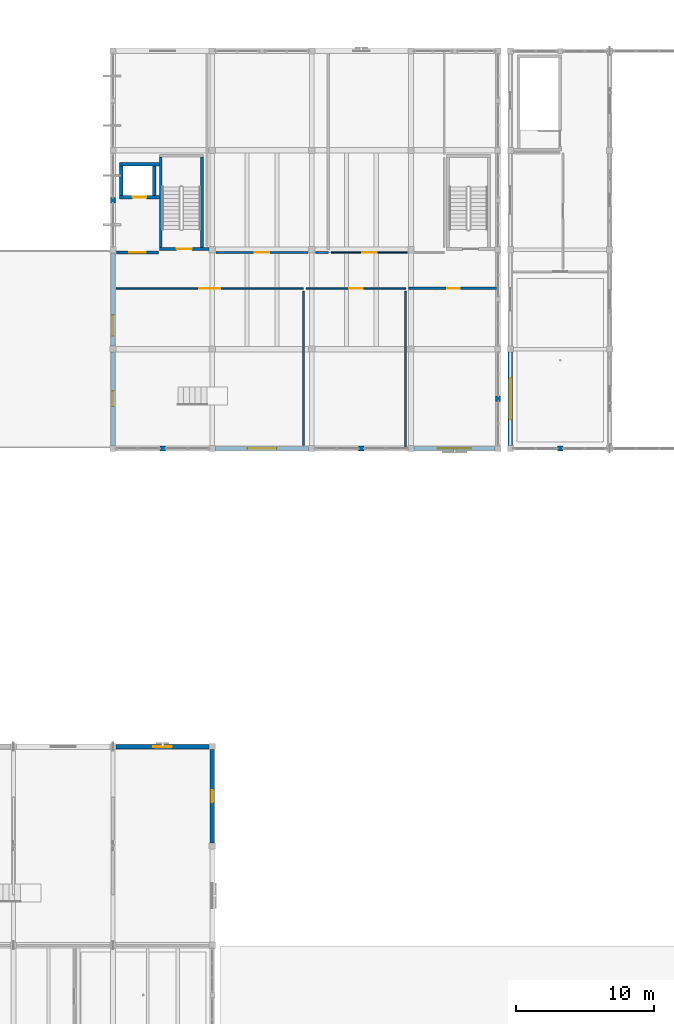
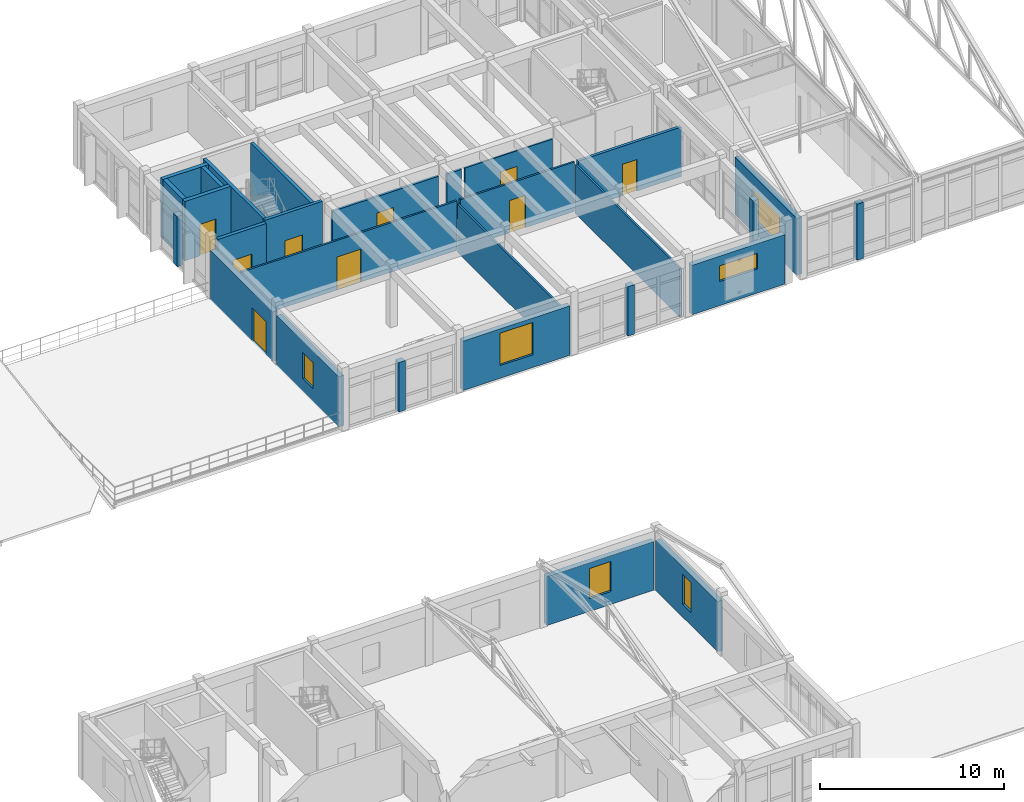
# One storey, part 110 of 136: 28 walls, 9 doors, 6 windows, 15 openings.
"""IFC4 building model written with IfcOpenShell, lengths in metres."""

from ifc_helpers import new_model, si_unit, direction, frame, frame_2d, origin, place, context, subcontext, project, spatial, rectangle, extrude, material, layer, layer_set, type_object, element, fill, save


model = new_model("IFC4")

# Units and contexts
model_context = context("Model", 3, precision=1e-05, world=origin(), true_north=direction((0.0, 1.0)))
body_context = subcontext(model_context, "Body", "Model", "MODEL_VIEW")
ifc_project = project(units=[si_unit("LENGTHUNIT", "METRE"), si_unit("AREAUNIT", "SQUARE_METRE"), si_unit("VOLUMEUNIT", "CUBIC_METRE"), si_unit("PLANEANGLEUNIT", "RADIAN"), si_unit("MASSUNIT", "GRAM", prefix="KILO")], contexts=[model_context])

# Site, building, storey
site_placement = place(None, origin())
site = spatial("IfcSite", under=ifc_project, at=site_placement, CompositionType="ELEMENT")
building_placement = place(site_placement, origin())
building = spatial("IfcBuilding", under=site, at=building_placement, Name="Koriwan Promenade Central Fire Station", CompositionType="ELEMENT")
storey_placement = place(building_placement, frame((0.0, 0.0, 5.39990234375)))
storey = spatial("IfcBuildingStorey", under=building, at=storey_placement, Name="L01", CompositionType="ELEMENT", Elevation=5.39990234375)

# Walls
ifc_material_1 = material(Name="Natural sillar sandstone ashlar", Category="masonry")
ifc_layer_1 = layer(ifc_material_1, 0.360107421875, Name="Natural sillar sandstone ashlar")
ifc_layer_set_1 = layer_set([ifc_layer_1], Name="Natural sillar sandstone ashlar")
wall_type_1 = type_object("IfcWallType", Name="ExtWall_SillarBase_360", PredefinedType="SOLIDWALL", material=ifc_layer_set_1)
wall_1_placement = place(storey_placement, frame((61.39990234375, 43.199951171875, 0.0), z_axis=(0.0, 0.0, 1.0), x_axis=(-1.0, 0.0, 0.0)))
element("IfcWall", 1, at=wall_1_placement, inside=storey, type_object=wall_type_1, Name="V1 L01 sillar facade mullion pier 34", PredefinedType="SOLIDWALL", context=body_context, shape_type="SweptSolid", body=[
    extrude(rectangle(XDim=0.39990234375, YDim=0.360107421875, at=frame_2d((0.199951171875, 0.0))), origin(), (0.0, 0.0, 1.0), 3.72119140625),
])
for number, where, z_axis, x_axis, name in (
    (2, (56.699951171875, 46.60009765625, 0.0), (0.0, 0.0, 1.0), (0.0, 1.0, 0.0), "V4 L01 sillar facade mullion pier 177"),
    (3, (28.800048828125, 61.39990234375, 0.0), (0.0, 0.0, 1.0), (0.0, -1.0, 0.0), "V4 L01 sillar facade mullion pier 186"),
):
    element("IfcWall", number, at=place(storey_placement, frame(where, z_axis=z_axis, x_axis=x_axis)), inside=storey, type_object=wall_type_1, Name=name, PredefinedType="SOLIDWALL", context=body_context, shape_type="SweptSolid", body=[
        extrude(rectangle(XDim=0.39990234375, YDim=0.360107421875, at=frame_2d((0.199951171875, 0.0))), origin(), (0.0, 0.0, 1.0), 3.340087890625),
    ])
wall_2_placement = place(storey_placement, frame((32.199951171875, 43.199951171875, 0.0), z_axis=(0.0, 0.0, 1.0), x_axis=(1.0, 0.0, 0.0)))
element("IfcWall", 4, at=wall_2_placement, inside=storey, type_object=wall_type_1, Name="V4 L01 sillar facade mullion pier 189", PredefinedType="SOLIDWALL", context=body_context, shape_type="SweptSolid", body=[
    extrude(rectangle(XDim=0.400146484375, YDim=0.360107421875, at=frame_2d((0.2001953125, 0.0))), origin(), (0.0, 0.0, 1.0), 3.2900390625),
])
wall_3_placement = place(storey_placement, frame((46.60009765625, 43.199951171875, 0.0), z_axis=(0.0, 0.0, 1.0), x_axis=(1.0, 0.0, 0.0)))
element("IfcWall", 5, at=wall_3_placement, inside=storey, type_object=wall_type_1, Name="V4 L01 sillar facade mullion pier 191", PredefinedType="SOLIDWALL", context=body_context, shape_type="SweptSolid", body=[
    extrude(rectangle(XDim=0.39990234375, YDim=0.360107421875, at=frame_2d((0.199951171875, 0.0))), origin(), (0.0, 0.0, 1.0), 3.2900390625),
])

# Wall, opening, window
ifc_material_2 = material(Name="Precast concrete C40/50", Category="concrete")
ifc_layer_2 = layer(ifc_material_2, 0.320068359375, Name="Precast concrete C40/50")
ifc_layer_set_2 = layer_set([ifc_layer_2], Name="Precast concrete C40/50")
wall_type_2 = type_object("IfcWallType", Name="ExtWall_Terracotta_320", PredefinedType="ELEMENTEDWALL", material=ifc_layer_set_2)
wall_4_placement = place(storey_placement, frame((57.60009765625, 43.425048828125, 0.0), z_axis=(0.0, 0.0, 1.0), x_axis=(0.0, 1.0, 0.0)))
wall_4 = element("IfcWall", 6, at=wall_4_placement, inside=storey, type_object=wall_type_2, Name="V1 L01 exterior wall 25", PredefinedType="ELEMENTEDWALL", context=body_context, shape_type="SweptSolid", body=[
    extrude(rectangle(XDim=6.75, YDim=0.320068359375, at=frame_2d((3.375, 0.0))), origin(), (0.0, 0.0, 1.0), 3.773193359375),
])
opening_1_placement = place(wall_4_placement, frame((1.875, 0.0, 0.85009765625)))
opening_1 = element("IfcOpeningElement", 7, at=opening_1_placement, cuts=wall_4, Name="Opening W-14", PredefinedType="OPENING", context=body_context, shape_type="SweptSolid", body=[
    extrude(rectangle(XDim=3.0, YDim=1.949951171875, at=frame_2d((1.5, 0.97509765625))), frame((0.0, 0.171875, 0.0), z_axis=(0.0, -1.0, 0.0), x_axis=(1.0, 0.0, 0.0)), (0.0, 0.0, 1.0), 0.343994140625),
])
ifc_material_3 = material(Name="Solar-control low-E laminated double glazing", Category="glass")
window_type_1 = type_object("IfcWindowType", Name="Win_Watch_3000x1950", PartitioningType="SINGLE_PANEL", PredefinedType="WINDOW", material=ifc_material_3)
window_1_placement = place(opening_1_placement, origin())
window_1 = element("IfcWindow", 8, at=window_1_placement, inside=storey, type_object=window_type_1, Name="V1 L01 window 0007", OverallHeight=1.949951171875, OverallWidth=3.0, PartitioningType="SINGLE_PANEL", PredefinedType="WINDOW", context=body_context, shape_type="SweptSolid", body=[
    extrude(rectangle(XDim=3.0, YDim=1.949951171875, at=frame_2d((1.5, 0.97509765625))), frame((0.0, 0.030029296875, 0.0), z_axis=(0.0, -1.0, 0.0), x_axis=(1.0, 0.0, 0.0)), (0.0, 0.0, 1.0), 0.06005859375),
])
fill(opening_1, window_1)

wall_5_placement = place(storey_placement, frame((36.0, 14.625, 0.0), z_axis=(0.0, 0.0, 1.0), x_axis=(0.0, 1.0, 0.0)))
wall_5 = element("IfcWall", 9, at=wall_5_placement, inside=storey, type_object=wall_type_2, Name="V3 L01 exterior wall 129", PredefinedType="ELEMENTEDWALL", context=body_context, shape_type="SweptSolid", body=[
    extrude(rectangle(XDim=6.75, YDim=0.320068359375, at=frame_2d((3.375, 0.0))), origin(), (0.0, 0.0, 1.0), 3.340087890625),
])
opening_2_placement = place(wall_5_placement, frame((2.925048828125, 0.0, 0.85009765625)))
opening_2 = element("IfcOpeningElement", 10, at=opening_2_placement, cuts=wall_5, Name="Opening W-04", PredefinedType="OPENING", context=body_context, shape_type="SweptSolid", body=[
    extrude(rectangle(XDim=0.89990234375, YDim=2.0, at=frame_2d((0.449951171875, 1.0))), frame((0.0, 0.171875, 0.0), z_axis=(0.0, -1.0, 0.0), x_axis=(1.0, 0.0, 0.0)), (0.0, 0.0, 1.0), 0.343994140625),
])
window_type_2 = type_object("IfcWindowType", Name="Win_HQ_900x2000", PartitioningType="SINGLE_PANEL", PredefinedType="WINDOW", material=ifc_material_3)
window_2_placement = place(opening_2_placement, origin())
window_2 = element("IfcWindow", 11, at=window_2_placement, inside=storey, type_object=window_type_2, Name="V3 L01 window 0053", OverallHeight=2.0, OverallWidth=0.89990234375, PartitioningType="SINGLE_PANEL", PredefinedType="WINDOW", context=body_context, shape_type="SweptSolid", body=[
    extrude(rectangle(XDim=0.89990234375, YDim=2.0, at=frame_2d((0.449951171875, 1.0))), frame((0.0, 0.030029296875, 0.0), z_axis=(0.0, -1.0, 0.0), x_axis=(1.0, 0.0, 0.0)), (0.0, 0.0, 1.0), 0.06005859375),
])
fill(opening_2, window_2)

wall_6_placement = place(storey_placement, frame((35.77490234375, 21.60009765625, 0.0), z_axis=(0.0, 0.0, 1.0), x_axis=(-1.0, 0.0, 0.0)))
wall_6 = element("IfcWall", 12, at=wall_6_placement, inside=storey, type_object=wall_type_2, Name="V3 L01 exterior wall 130", PredefinedType="ELEMENTEDWALL", context=body_context, shape_type="SweptSolid", body=[
    extrude(rectangle(XDim=6.75, YDim=0.320068359375, at=frame_2d((3.375, 0.0))), origin(), (0.0, 0.0, 1.0), 3.239990234375),
])
opening_3_placement = place(wall_6_placement, frame((2.699951171875, 0.0, 0.85009765625)))
opening_3 = element("IfcOpeningElement", 13, at=opening_3_placement, cuts=wall_6, Name="Opening W-05", PredefinedType="OPENING", context=body_context, shape_type="SweptSolid", body=[
    extrude(rectangle(XDim=1.35009765625, YDim=2.0, at=frame_2d((0.675048828125, 1.0))), frame((0.0, 0.171875, 0.0), z_axis=(0.0, -1.0, 0.0), x_axis=(1.0, 0.0, 0.0)), (0.0, 0.0, 1.0), 0.343994140625),
])
window_type_3 = type_object("IfcWindowType", Name="Win_HQ_1350x2000", PartitioningType="SINGLE_PANEL", PredefinedType="WINDOW", material=ifc_material_3)
window_3_placement = place(opening_3_placement, origin())
window_3 = element("IfcWindow", 14, at=window_3_placement, inside=storey, type_object=window_type_3, Name="V3 L01 window 0054", OverallHeight=2.0, OverallWidth=1.35009765625, PartitioningType="SINGLE_PANEL", PredefinedType="WINDOW", context=body_context, shape_type="SweptSolid", body=[
    extrude(rectangle(XDim=1.35009765625, YDim=2.0, at=frame_2d((0.675048828125, 1.0))), frame((0.0, 0.030029296875, 0.0), z_axis=(0.0, -1.0, 0.0), x_axis=(1.0, 0.0, 0.0)), (0.0, 0.0, 1.0), 0.06005859375),
])
fill(opening_3, window_3)

# Wall, opening, door
wall_7_placement = place(storey_placement, frame((28.800048828125, 57.375, 0.0), z_axis=(0.0, 0.0, 1.0), x_axis=(0.0, -1.0, 0.0)))
wall_7 = element("IfcWall", 15, at=wall_7_placement, inside=storey, type_object=wall_type_2, Name="V4 L01 exterior wall 187", PredefinedType="ELEMENTEDWALL", context=body_context, shape_type="SweptSolid", body=[
    extrude(rectangle(XDim=6.75, YDim=0.320068359375, at=frame_2d((3.375, 0.0))), origin(), (0.0, 0.0, 1.0), 3.2900390625),
])
opening_4_placement = place(wall_7_placement, frame((4.514892578125, 0.0, 0.0)))
opening_4 = element("IfcOpeningElement", 16, at=opening_4_placement, cuts=wall_7, Name="Opening TD-022", PredefinedType="OPENING", context=body_context, shape_type="SweptSolid", body=[
    extrude(rectangle(XDim=1.5, YDim=2.199951171875, at=frame_2d((0.75, 1.10009765625))), frame((0.0, 0.171875, 0.0), z_axis=(0.0, -1.0, 0.0), x_axis=(1.0, 0.0, 0.0)), (0.0, 0.0, 1.0), 0.343994140625),
])
ifc_material_4 = material(Name="Aluminium EN AW-6063-T6 and laminated safety glass", Category="aluminium")
door_type_1 = type_object("IfcDoorType", Name="TerraceDoor_1500x2200", OperationType="DOUBLE_SWING_LEFT", PredefinedType="DOOR", material=ifc_material_4)
door_1_placement = place(opening_4_placement, frame((1.5, 0.0, 0.0), z_axis=(0.0, 0.0, 1.0), x_axis=(-1.0, 0.0, 0.0)))
door_1 = element("IfcDoor", 17, at=door_1_placement, inside=storey, type_object=door_type_1, Name="V4 L01 Terrace Access Door TD-022", OperationType="DOUBLE_SWING_LEFT", OverallHeight=2.199951171875, OverallWidth=1.5, PredefinedType="DOOR", context=body_context, shape_type="SweptSolid", body=[
    extrude(rectangle(XDim=1.5, YDim=2.199951171875, at=frame_2d((0.75, 1.10009765625))), frame((0.0, 0.02490234375, 0.0), z_axis=(0.0, -1.0, 0.0), x_axis=(1.0, 0.0, 0.0)), (0.0, 0.0, 1.0), 0.050048828125),
])
fill(opening_4, door_1)

# Wall, opening, window
wall_8_placement = place(storey_placement, frame((28.800048828125, 50.175048828125, 0.0), z_axis=(0.0, 0.0, 1.0), x_axis=(0.0, -1.0, 0.0)))
wall_8 = element("IfcWall", 18, at=wall_8_placement, inside=storey, type_object=wall_type_2, Name="V4 L01 exterior wall 188", PredefinedType="ELEMENTEDWALL", context=body_context, shape_type="SweptSolid", body=[
    extrude(rectangle(XDim=6.75, YDim=0.320068359375, at=frame_2d((3.375, 0.0))), origin(), (0.0, 0.0, 1.0), 3.340087890625),
])
opening_5_placement = place(wall_8_placement, frame((2.824951171875, 0.0, 0.85009765625)))
opening_5 = element("IfcOpeningElement", 19, at=opening_5_placement, cuts=wall_8, Name="Opening W-09", PredefinedType="OPENING", context=body_context, shape_type="SweptSolid", body=[
    extrude(rectangle(XDim=1.10009765625, YDim=1.75, at=frame_2d((0.550048828125, 0.875))), frame((0.0, 0.171875, 0.0), z_axis=(0.0, -1.0, 0.0), x_axis=(1.0, 0.0, 0.0)), (0.0, 0.0, 1.0), 0.343994140625),
])
window_type_4 = type_object("IfcWindowType", Name="Win_Drill_1100x1750", PartitioningType="SINGLE_PANEL", PredefinedType="WINDOW", material=ifc_material_3)
window_4_placement = place(opening_5_placement, origin())
window_4 = element("IfcWindow", 20, at=window_4_placement, inside=storey, type_object=window_type_4, Name="V4 L01 window 0074", OverallHeight=1.75, OverallWidth=1.10009765625, PartitioningType="SINGLE_PANEL", PredefinedType="WINDOW", context=body_context, shape_type="SweptSolid", body=[
    extrude(rectangle(XDim=1.10009765625, YDim=1.75, at=frame_2d((0.550048828125, 0.875))), frame((0.0, 0.030029296875, 0.0), z_axis=(0.0, -1.0, 0.0), x_axis=(1.0, 0.0, 0.0)), (0.0, 0.0, 1.0), 0.06005859375),
])
fill(opening_5, window_4)

wall_9_placement = place(storey_placement, frame((36.22509765625, 43.199951171875, 0.0), z_axis=(0.0, 0.0, 1.0), x_axis=(1.0, 0.0, 0.0)))
wall_9 = element("IfcWall", 21, at=wall_9_placement, inside=storey, type_object=wall_type_2, Name="V4 L01 exterior wall 190", PredefinedType="ELEMENTEDWALL", context=body_context, shape_type="SweptSolid", body=[
    extrude(rectangle(XDim=6.75, YDim=0.320068359375, at=frame_2d((3.375, 0.0))), origin(), (0.0, 0.0, 1.0), 3.2900390625),
])
opening_6_placement = place(wall_9_placement, frame((2.324951171875, 0.0, 0.85009765625)))
opening_6 = element("IfcOpeningElement", 22, at=opening_6_placement, cuts=wall_9, Name="Opening W-11", PredefinedType="OPENING", context=body_context, shape_type="SweptSolid", body=[
    extrude(rectangle(XDim=2.10009765625, YDim=2.14990234375, at=frame_2d((1.050048828125, 1.074951171875))), frame((0.0, 0.171875, 0.0), z_axis=(0.0, -1.0, 0.0), x_axis=(1.0, 0.0, 0.0)), (0.0, 0.0, 1.0), 0.343994140625),
])
window_type_5 = type_object("IfcWindowType", Name="Win_Pavilion_2100x2150", PartitioningType="SINGLE_PANEL", PredefinedType="WINDOW", material=ifc_material_3)
window_5_placement = place(opening_6_placement, origin())
window_5 = element("IfcWindow", 23, at=window_5_placement, inside=storey, type_object=window_type_5, Name="V4 L01 window 0075", OverallHeight=2.14990234375, OverallWidth=2.10009765625, PartitioningType="SINGLE_PANEL", PredefinedType="WINDOW", context=body_context, shape_type="SweptSolid", body=[
    extrude(rectangle(XDim=2.10009765625, YDim=2.14990234375, at=frame_2d((1.050048828125, 1.074951171875))), frame((0.0, 0.030029296875, 0.0), z_axis=(0.0, -1.0, 0.0), x_axis=(1.0, 0.0, 0.0)), (0.0, 0.0, 1.0), 0.06005859375),
])
fill(opening_6, window_5)

wall_10_placement = place(storey_placement, frame((50.625, 43.199951171875, 0.0), z_axis=(0.0, 0.0, 1.0), x_axis=(1.0, 0.0, 0.0)))
wall_10 = element("IfcWall", 24, at=wall_10_placement, inside=storey, type_object=wall_type_2, Name="V4 L01 exterior wall 192", PredefinedType="ELEMENTEDWALL", context=body_context, shape_type="SweptSolid", body=[
    extrude(rectangle(XDim=5.85009765625, YDim=0.320068359375, at=frame_2d((2.925048828125, 0.0))), origin(), (0.0, 0.0, 1.0), 3.2900390625),
])
opening_7_placement = place(wall_10_placement, frame((1.72509765625, 0.0, 1.60009765625)))
opening_7 = element("IfcOpeningElement", 25, at=opening_7_placement, cuts=wall_10, Name="Opening W-13", PredefinedType="OPENING", context=body_context, shape_type="SweptSolid", body=[
    extrude(rectangle(XDim=2.39990234375, YDim=1.050048828125, at=frame_2d((1.199951171875, 0.52490234375))), frame((0.0, 0.171875, 0.0), z_axis=(0.0, -1.0, 0.0), x_axis=(1.0, 0.0, 0.0)), (0.0, 0.0, 1.0), 0.343994140625),
])
window_type_6 = type_object("IfcWindowType", Name="Win_HighRibbon_2400x1050", PartitioningType="SINGLE_PANEL", PredefinedType="WINDOW", material=ifc_material_3)
window_6_placement = place(opening_7_placement, origin())
window_6 = element("IfcWindow", 26, at=window_6_placement, inside=storey, type_object=window_type_6, Name="V4 L01 window 0076", OverallHeight=1.050048828125, OverallWidth=2.39990234375, PartitioningType="SINGLE_PANEL", PredefinedType="WINDOW", context=body_context, shape_type="SweptSolid", body=[
    extrude(rectangle(XDim=2.39990234375, YDim=1.050048828125, at=frame_2d((1.199951171875, 0.52490234375))), frame((0.0, 0.030029296875, 0.0), z_axis=(0.0, -1.0, 0.0), x_axis=(1.0, 0.0, 0.0)), (0.0, 0.0, 1.0), 0.06005859375),
])
fill(opening_7, window_6)

# Wall, opening, door
ifc_material_5 = material(Name="Gypsum board acoustic stud partition", Category="gypsum")
ifc_layer_3 = layer(ifc_material_5, 0.10009765625, Name="Gypsum board acoustic stud partition")
ifc_layer_set_3 = layer_set([ifc_layer_3], Name="Gypsum board acoustic stud partition")
wall_type_3 = type_object("IfcWallType", Name="IntWall_Drywall_100", PredefinedType="PARTITIONING", material=ifc_layer_set_3)
wall_11_placement = place(storey_placement, frame((44.6201171875, 57.39990234375, 0.0), z_axis=(0.0, 0.0, 1.0), x_axis=(1.0, 0.0, 0.0)))
wall_11 = element("IfcWall", 27, at=wall_11_placement, inside=storey, type_object=wall_type_3, Name="Crew Fitness Gym and Conditioning Studio partition S", PredefinedType="PARTITIONING", context=body_context, shape_type="SweptSolid", body=[
    extrude(rectangle(XDim=5.514892578125, YDim=0.10009765625, at=frame_2d((2.75732421875, 0.0))), origin(), (0.0, 0.0, 1.0), 3.18798828125),
])
opening_8_placement = place(wall_11_placement, frame((2.232421875, 0.0, 0.0)))
opening_8 = element("IfcOpeningElement", 28, at=opening_8_placement, cuts=wall_11, Name="Opening D-099", PredefinedType="OPENING", context=body_context, shape_type="SweptSolid", body=[
    extrude(rectangle(XDim=1.050048828125, YDim=2.14990234375, at=frame_2d((0.52490234375, 1.074951171875))), frame((0.0, 0.06201171875, 0.0), z_axis=(0.0, -1.0, 0.0), x_axis=(1.0, 0.0, 0.0)), (0.0, 0.0, 1.0), 0.1240234375),
])
ifc_material_6 = material(Name="Hardwood veneer solid-core timber", Category="wood")
door_type_2 = type_object("IfcDoorType", Name="RoomDoor_Class_1050x2150", OperationType="NOTDEFINED", PredefinedType="DOOR", material=ifc_material_6)
door_2_placement = place(opening_8_placement, origin())
door_2 = element("IfcDoor", 29, at=door_2_placement, inside=storey, type_object=door_type_2, Name="Crew Fitness Gym and Conditioning Studio Door D-099", OperationType="SINGLE_SWING_RIGHT", OverallHeight=2.14990234375, OverallWidth=1.050048828125, PredefinedType="DOOR", context=body_context, shape_type="SweptSolid", body=[
    extrude(rectangle(XDim=1.050048828125, YDim=2.14990234375, at=frame_2d((0.52490234375, 1.074951171875))), frame((0.0, 0.02490234375, 0.0), z_axis=(0.0, -1.0, 0.0), x_axis=(1.0, 0.0, 0.0)), (0.0, 0.0, 1.0), 0.050048828125),
])
fill(opening_8, door_2)

ifc_layer_4 = layer(ifc_material_5, 0.1201171875, Name="Gypsum board acoustic stud partition")
ifc_layer_set_4 = layer_set([ifc_layer_4], Name="Gypsum board acoustic stud partition")
wall_type_4 = type_object("IfcWallType", Name="IntWall_Drywall_120", PredefinedType="PARTITIONING", material=ifc_layer_set_4)
wall_12_placement = place(storey_placement, frame((29.02001953125, 54.800048828125, 0.0), z_axis=(0.0, 0.0, 1.0), x_axis=(1.0, 0.0, 0.0)))
wall_12 = element("IfcWall", 30, at=wall_12_placement, inside=storey, type_object=wall_type_4, Name="Crew Mess and Dining Room partition N", PredefinedType="PARTITIONING", context=body_context, shape_type="SweptSolid", body=[
    extrude(rectangle(XDim=13.580078125, YDim=0.1201171875, at=frame_2d((6.7900390625, 0.0))), origin(), (0.0, 0.0, 1.0), 3.2880859375),
])
opening_9_placement = place(wall_12_placement, frame((6.0400390625, 0.0, 0.0)))
opening_9 = element("IfcOpeningElement", 31, at=opening_9_placement, cuts=wall_12, Name="Opening D-095", PredefinedType="OPENING", context=body_context, shape_type="SweptSolid", body=[
    extrude(rectangle(XDim=1.5, YDim=2.199951171875, at=frame_2d((0.75, 1.10009765625))), frame((0.0, 0.072021484375, 0.0), z_axis=(0.0, -1.0, 0.0), x_axis=(1.0, 0.0, 0.0)), (0.0, 0.0, 1.0), 0.14404296875),
])
door_type_3 = type_object("IfcDoorType", Name="RoomDoor_Hall_1500x2200", OperationType="DOUBLE_SWING_LEFT", PredefinedType="DOOR", material=ifc_material_6)
door_3_placement = place(opening_9_placement, origin())
door_3 = element("IfcDoor", 32, at=door_3_placement, inside=storey, type_object=door_type_3, Name="Crew Mess and Dining Room Door D-095", OperationType="DOUBLE_SWING_LEFT", OverallHeight=2.199951171875, OverallWidth=1.5, PredefinedType="DOOR", context=body_context, shape_type="SweptSolid", body=[
    extrude(rectangle(XDim=1.5, YDim=2.199951171875, at=frame_2d((0.75, 1.10009765625))), frame((0.0, 0.02490234375, 0.0), z_axis=(0.0, -1.0, 0.0), x_axis=(1.0, 0.0, 0.0)), (0.0, 0.0, 1.0), 0.050048828125),
])
fill(opening_9, door_3)

# Wall
wall_13_placement = place(storey_placement, frame((42.60009765625, 43.419921875, 0.0), z_axis=(0.0, 0.0, 1.0), x_axis=(0.0, 1.0, 0.0)))
element("IfcWall", 33, at=wall_13_placement, inside=storey, type_object=wall_type_4, Name="Crew Mess and Dining Room partition E", PredefinedType="PARTITIONING", context=body_context, shape_type="SweptSolid", body=[
    extrude(rectangle(XDim=11.16015625, YDim=0.1201171875, at=frame_2d((5.580078125, 0.0))), origin(), (0.0, 0.0, 1.0), 3.18798828125),
])

# Wall, opening, door
wall_14_placement = place(storey_placement, frame((42.820068359375, 54.800048828125, 0.0), z_axis=(0.0, 0.0, 1.0), x_axis=(1.0, 0.0, 0.0)))
wall_14 = element("IfcWall", 34, at=wall_14_placement, inside=storey, type_object=wall_type_4, Name="Station Commercial Kitchen partition N", PredefinedType="PARTITIONING", context=body_context, shape_type="SweptSolid", body=[
    extrude(rectangle(XDim=7.179931640625, YDim=0.1201171875, at=frame_2d((3.58984375, 0.0))), origin(), (0.0, 0.0, 1.0), 3.2880859375),
])
opening_10_placement = place(wall_14_placement, frame((3.090087890625, 0.0, 0.0)))
opening_10 = element("IfcOpeningElement", 35, at=opening_10_placement, cuts=wall_14, Name="Opening D-096", PredefinedType="OPENING", context=body_context, shape_type="SweptSolid", body=[
    extrude(rectangle(XDim=1.0, YDim=2.14990234375, at=frame_2d((0.5, 1.074951171875))), frame((0.0, 0.072021484375, 0.0), z_axis=(0.0, -1.0, 0.0), x_axis=(1.0, 0.0, 0.0)), (0.0, 0.0, 1.0), 0.14404296875),
])
door_type_4 = type_object("IfcDoorType", Name="RoomDoor_Office_1000x2150", OperationType="NOTDEFINED", PredefinedType="DOOR", material=ifc_material_6)
door_4_placement = place(opening_10_placement, origin())
door_4 = element("IfcDoor", 36, at=door_4_placement, inside=storey, type_object=door_type_4, Name="Station Commercial Kitchen Door D-096", OperationType="SINGLE_SWING_LEFT", OverallHeight=2.14990234375, OverallWidth=1.0, PredefinedType="DOOR", context=body_context, shape_type="SweptSolid", body=[
    extrude(rectangle(XDim=1.0, YDim=2.14990234375, at=frame_2d((0.5, 1.074951171875))), frame((0.0, 0.02490234375, 0.0), z_axis=(0.0, -1.0, 0.0), x_axis=(1.0, 0.0, 0.0)), (0.0, 0.0, 1.0), 0.050048828125),
])
fill(opening_10, door_4)

# Wall
wall_15_placement = place(storey_placement, frame((50.0, 43.199951171875, 0.0), z_axis=(0.0, 0.0, 1.0), x_axis=(0.0, 1.0, 0.0)))
element("IfcWall", 37, at=wall_15_placement, inside=storey, type_object=wall_type_4, Name="Station Commercial Kitchen partition E", PredefinedType="PARTITIONING", context=body_context, shape_type="SweptSolid", body=[
    extrude(rectangle(XDim=11.380126953125, YDim=0.1201171875, at=frame_2d((5.68994140625, 0.0))), origin(), (0.0, 0.0, 1.0), 3.238037109375),
])

# Wall, opening, door
ifc_material_7 = material(Name="Clay brick plastered masonry wall", Category="masonry")
ifc_layer_5 = layer(ifc_material_7, 0.14990234375, Name="Clay brick plastered masonry wall")
ifc_layer_set_5 = layer_set([ifc_layer_5], Name="Clay brick plastered masonry wall")
wall_type_5 = type_object("IfcWallType", Name="IntWall_Masonry_150", PredefinedType="STANDARD", material=ifc_layer_set_5)
wall_16_placement = place(storey_placement, frame((36.264892578125, 57.39990234375, 0.0), z_axis=(0.0, 0.0, 1.0), x_axis=(1.0, 0.0, 0.0)))
wall_16 = element("IfcWall", 38, at=wall_16_placement, inside=storey, type_object=wall_type_5, Name="Crew Dayroom and Briefing Lounge partition S", PredefinedType="STANDARD", context=body_context, shape_type="SweptSolid", body=[
    extrude(rectangle(XDim=6.670166015625, YDim=0.14990234375, at=frame_2d((3.3349609375, 0.0))), origin(), (0.0, 0.0, 1.0), 3.238037109375),
])
opening_11_placement = place(wall_16_placement, frame((2.81005859375, 0.0, 0.0)))
opening_11 = element("IfcOpeningElement", 39, at=opening_11_placement, cuts=wall_16, Name="Opening D-098", PredefinedType="OPENING", context=body_context, shape_type="SweptSolid", body=[
    extrude(rectangle(XDim=1.050048828125, YDim=2.14990234375, at=frame_2d((0.52490234375, 1.074951171875))), frame((0.0, 0.0869140625, 0.0), z_axis=(0.0, -1.0, 0.0), x_axis=(1.0, 0.0, 0.0)), (0.0, 0.0, 1.0), 0.173828125),
])
door_5_placement = place(opening_11_placement, origin())
door_5 = element("IfcDoor", 40, at=door_5_placement, inside=storey, type_object=door_type_2, Name="Crew Dayroom and Briefing Lounge Door D-098", OperationType="SINGLE_SWING_LEFT", OverallHeight=2.14990234375, OverallWidth=1.050048828125, PredefinedType="DOOR", context=body_context, shape_type="SweptSolid", body=[
    extrude(rectangle(XDim=1.050048828125, YDim=2.14990234375, at=frame_2d((0.52490234375, 1.074951171875))), frame((0.0, 0.02490234375, 0.0), z_axis=(0.0, -1.0, 0.0), x_axis=(1.0, 0.0, 0.0)), (0.0, 0.0, 1.0), 0.050048828125),
])
fill(opening_11, door_5)

# Wall
wall_17_placement = place(storey_placement, frame((43.465087890625, 57.39990234375, 0.0), z_axis=(0.0, 0.0, 1.0), x_axis=(1.0, 0.0, 0.0)))
element("IfcWall", 41, at=wall_17_placement, inside=storey, type_object=wall_type_5, Name="Crew Dayroom and Briefing Lounge partition S", PredefinedType="STANDARD", context=body_context, shape_type="SweptSolid", body=[
    extrude(rectangle(XDim=0.934814453125, YDim=0.14990234375, at=frame_2d((0.46728515625, 0.0))), origin(), (0.0, 0.0, 1.0), 3.18798828125),
])

# Wall, opening, door
ifc_material_8 = material(Name="Concrete C35/45 compartment wall", Category="concrete")
ifc_layer_6 = layer(ifc_material_8, 0.219970703125, Name="Concrete C35/45 compartment wall")
ifc_layer_set_6 = layer_set([ifc_layer_6], Name="Concrete C35/45 compartment wall")
wall_type_6 = type_object("IfcWallType", Name="IntWall_Plant_220", PredefinedType="STANDARD", material=ifc_layer_set_6)
wall_18_placement = place(storey_placement, frame((29.06494140625, 57.39990234375, 0.0), z_axis=(0.0, 0.0, 1.0), x_axis=(1.0, 0.0, 0.0)))
wall_18 = element("IfcWall", 42, at=wall_18_placement, inside=storey, type_object=wall_type_6, Name="Crew Wing Lift Lobby L01 partition S", PredefinedType="STANDARD", context=body_context, shape_type="SweptSolid", body=[
    extrude(rectangle(XDim=3.03515625, YDim=0.219970703125, at=frame_2d((1.517578125, 0.0))), origin(), (0.0, 0.0, 1.0), 3.920166015625),
])
opening_12_placement = place(wall_18_placement, frame((0.91748046875, 0.0, 0.0)))
opening_12 = element("IfcOpeningElement", 43, at=opening_12_placement, cuts=wall_18, Name="Opening D-094", PredefinedType="OPENING", context=body_context, shape_type="SweptSolid", body=[
    extrude(rectangle(XDim=1.199951171875, YDim=2.199951171875, at=frame_2d((0.60009765625, 1.10009765625))), frame((0.0, 0.1220703125, 0.0), z_axis=(0.0, -1.0, 0.0), x_axis=(1.0, 0.0, 0.0)), (0.0, 0.0, 1.0), 0.243896484375),
])
ifc_material_9 = material(Name="Painted galvanized fire-door steel", Category="steel")
door_type_5 = type_object("IfcDoorType", Name="FireDoor_Lobby_1200x2200", OperationType="NOTDEFINED", PredefinedType="DOOR", material=ifc_material_9)
door_6_placement = place(opening_12_placement, origin())
door_6 = element("IfcDoor", 44, at=door_6_placement, inside=storey, type_object=door_type_5, Name="Crew Wing Lift Lobby L01 Door D-094", OperationType="SINGLE_SWING_RIGHT", OverallHeight=2.199951171875, OverallWidth=1.199951171875, PredefinedType="DOOR", context=body_context, shape_type="SweptSolid", body=[
    extrude(rectangle(XDim=1.199951171875, YDim=2.199951171875, at=frame_2d((0.60009765625, 1.10009765625))), frame((0.0, 0.02490234375, 0.0), z_axis=(0.0, -1.0, 0.0), x_axis=(1.0, 0.0, 0.0)), (0.0, 0.0, 1.0), 0.050048828125),
])
fill(opening_12, door_6)

ifc_material_10 = material(Name="Moisture-resistant sanitary chase wall", Category="gypsum")
ifc_layer_7 = layer(ifc_material_10, 0.179931640625, Name="Moisture-resistant sanitary chase wall")
ifc_layer_set_7 = layer_set([ifc_layer_7], Name="Moisture-resistant sanitary chase wall")
wall_type_7 = type_object("IfcWallType", Name="IntWall_Plumbing_180", PredefinedType="PLUMBINGWALL", material=ifc_layer_set_7)
wall_19_placement = place(storey_placement, frame((50.219970703125, 54.800048828125, 0.0), z_axis=(0.0, 0.0, 1.0), x_axis=(1.0, 0.0, 0.0)))
wall_19 = element("IfcWall", 45, at=wall_19_placement, inside=storey, type_object=wall_type_7, Name="Crew L01 Male Female and Accessible WCs partition N", PredefinedType="PLUMBINGWALL", context=body_context, shape_type="SweptSolid", body=[
    extrude(rectangle(XDim=6.47998046875, YDim=0.179931640625, at=frame_2d((3.239990234375, 0.0))), origin(), (0.0, 0.0, 1.0), 3.2880859375),
])
opening_13_placement = place(wall_19_placement, frame((2.7900390625, 0.0, 0.0)))
opening_13 = element("IfcOpeningElement", 46, at=opening_13_placement, cuts=wall_19, Name="Opening D-097", PredefinedType="OPENING", context=body_context, shape_type="SweptSolid", body=[
    extrude(rectangle(XDim=0.89990234375, YDim=2.10009765625, at=frame_2d((0.449951171875, 1.050048828125))), frame((0.0, 0.10205078125, 0.0), z_axis=(0.0, -1.0, 0.0), x_axis=(1.0, 0.0, 0.0)), (0.0, 0.0, 1.0), 0.203857421875),
])
ifc_material_11 = material(Name="High-pressure laminate moisture-resistant core", Category="wood")
door_type_6 = type_object("IfcDoorType", Name="RoomDoor_WC_900x2100", OperationType="NOTDEFINED", PredefinedType="DOOR", material=ifc_material_11)
door_7_placement = place(opening_13_placement, origin())
door_7 = element("IfcDoor", 47, at=door_7_placement, inside=storey, type_object=door_type_6, Name="Crew L01 Male Female and Accessible WCs Door D-097", OperationType="SINGLE_SWING_RIGHT", OverallHeight=2.10009765625, OverallWidth=0.89990234375, PredefinedType="DOOR", context=body_context, shape_type="SweptSolid", body=[
    extrude(rectangle(XDim=0.89990234375, YDim=2.10009765625, at=frame_2d((0.449951171875, 1.050048828125))), frame((0.0, 0.02490234375, 0.0), z_axis=(0.0, -1.0, 0.0), x_axis=(1.0, 0.0, 0.0)), (0.0, 0.0, 1.0), 0.050048828125),
])
fill(opening_13, door_7)

ifc_material_12 = material(Name="Concrete C40/50", Category="concrete")
ifc_layer_8 = layer(ifc_material_12, 0.199951171875, Name="Concrete C40/50")
ifc_layer_set_8 = layer_set([ifc_layer_8], Name="Concrete C40/50")
wall_type_8 = type_object("IfcWallType", Name="ShearWall_200", PredefinedType="SHEAR", material=ifc_layer_set_8)
wall_20_placement = place(storey_placement, frame((32.159912109375, 57.64990234375, 0.0), z_axis=(0.0, 0.0, 1.0), x_axis=(1.0, 0.0, 0.0)))
wall_20 = element("IfcWall", 48, at=wall_20_placement, inside=storey, type_object=wall_type_8, Name="ST18 L01 structural stair wall S", PredefinedType="SHEAR", context=body_context, shape_type="SweptSolid", body=[
    extrude(rectangle(XDim=3.614990234375, YDim=0.199951171875, at=frame_2d((1.8076171875, 0.0))), origin(), (0.0, 0.0, 1.0), 3.9501953125),
])
opening_14_placement = place(wall_20_placement, frame((1.257568359375, 0.0, 0.0)))
opening_14 = element("IfcOpeningElement", 49, at=opening_14_placement, cuts=wall_20, Name="Opening SD-027", PredefinedType="OPENING", context=body_context, shape_type="SweptSolid", body=[
    extrude(rectangle(XDim=1.10009765625, YDim=2.14990234375, at=frame_2d((0.550048828125, 1.074951171875))), frame((0.0, 0.11181640625, 0.0), z_axis=(0.0, -1.0, 0.0), x_axis=(1.0, 0.0, 0.0)), (0.0, 0.0, 1.0), 0.223876953125),
])
door_type_7 = type_object("IfcDoorType", Name="FireDoor_Stair_1100x2150", OperationType="NOTDEFINED", PredefinedType="DOOR", material=ifc_material_9)
door_8_placement = place(opening_14_placement, origin())
door_8 = element("IfcDoor", 50, at=door_8_placement, inside=storey, type_object=door_type_7, Name="Protected Stair ST18 Fire Door SD-027", OperationType="SINGLE_SWING_RIGHT", OverallHeight=2.14990234375, OverallWidth=1.10009765625, PredefinedType="DOOR", context=body_context, shape_type="SweptSolid", body=[
    extrude(rectangle(XDim=1.10009765625, YDim=2.14990234375, at=frame_2d((0.550048828125, 1.074951171875))), frame((0.0, 0.02490234375, 0.0), z_axis=(0.0, -1.0, 0.0), x_axis=(1.0, 0.0, 0.0)), (0.0, 0.0, 1.0), 0.050048828125),
])
fill(opening_14, door_8)

# Walls
for number, where, z_axis, x_axis, name in (
    (51, (32.260009765625, 57.75, 0.0), (0.0, 0.0, 1.0), (0.0, 1.0, 0.0), "ST18 L01 structural stair wall W"),
    (52, (35.25, 57.75, 0.0), (0.0, 0.0, 1.0), (0.0, 1.0, 0.0), "ST18 L01 structural stair wall E"),
):
    element("IfcWall", number, at=place(storey_placement, frame(where, z_axis=z_axis, x_axis=x_axis)), inside=storey, type_object=wall_type_8, Name=name, PredefinedType="SHEAR", context=body_context, shape_type="SweptSolid", body=[
        extrude(rectangle(XDim=6.56005859375, YDim=0.199951171875, at=frame_2d((3.280029296875, 0.0))), origin(), (0.0, 0.0, 1.0), 3.9501953125),
    ])

# Wall, opening, door
ifc_layer_9 = layer(ifc_material_12, 0.25, Name="Concrete C40/50")
ifc_layer_set_9 = layer_set([ifc_layer_9], Name="Concrete C40/50")
wall_type_9 = type_object("IfcWallType", Name="ShearWall_250", PredefinedType="SHEAR", material=ifc_layer_set_9)
wall_21_placement = place(storey_placement, frame((29.27490234375, 61.39990234375, 0.0), z_axis=(0.0, 0.0, 1.0), x_axis=(1.0, 0.0, 0.0)))
wall_21 = element("IfcWall", 53, at=wall_21_placement, inside=storey, type_object=wall_type_9, Name="LP02 shaft wall S (L01)", PredefinedType="SHEAR", context=body_context, shape_type="SweptSolid", body=[
    extrude(rectangle(XDim=2.885009765625, YDim=0.25, at=frame_2d((1.4423828125, 0.0))), origin(), (0.0, 0.0, 1.0), 3.9501953125),
])
opening_15_placement = place(wall_21_placement, frame((0.9423828125, 0.0, 0.0)))
opening_15 = element("IfcOpeningElement", 54, at=opening_15_placement, cuts=wall_21, Name="Opening LD-LP02-L01", PredefinedType="OPENING", context=body_context, shape_type="SweptSolid", body=[
    extrude(rectangle(XDim=1.0, YDim=2.10009765625, at=frame_2d((0.5, 1.050048828125))), frame((0.0, 0.136962890625, 0.0), z_axis=(0.0, -1.0, 0.0), x_axis=(1.0, 0.0, 0.0)), (0.0, 0.0, 1.0), 0.27392578125),
])
ifc_material_13 = material(Name="Stainless steel 316", Category="steel")
door_type_8 = type_object("IfcDoorType", Name="LiftDoor_Pass_1000x2100", OperationType="SLIDING_TO_RIGHT", PredefinedType="DOOR", material=ifc_material_13)
door_9_placement = place(opening_15_placement, origin())
door_9 = element("IfcDoor", 55, at=door_9_placement, inside=storey, type_object=door_type_8, Name="Lift LP02 Sliding Landing Door LD-LP02-L01", OperationType="SLIDING_TO_RIGHT", OverallHeight=2.10009765625, OverallWidth=1.0, PredefinedType="DOOR", context=body_context, shape_type="SweptSolid", body=[
    extrude(rectangle(XDim=1.0, YDim=2.10009765625, at=frame_2d((0.5, 1.050048828125))), frame((0.0, 0.02490234375, 0.0), z_axis=(0.0, -1.0, 0.0), x_axis=(1.0, 0.0, 0.0)), (0.0, 0.0, 1.0), 0.050048828125),
])
fill(opening_15, door_9)

# Walls
wall_22_placement = place(storey_placement, frame((29.27490234375, 63.800048828125, 0.0), z_axis=(0.0, 0.0, 1.0), x_axis=(1.0, 0.0, 0.0)))
element("IfcWall", 56, at=wall_22_placement, inside=storey, type_object=wall_type_9, Name="LP02 shaft wall N (L01)", PredefinedType="SHEAR", context=body_context, shape_type="SweptSolid", body=[
    extrude(rectangle(XDim=2.885009765625, YDim=0.25, at=frame_2d((1.4423828125, 0.0))), origin(), (0.0, 0.0, 1.0), 3.9501953125),
])
for number, where, z_axis, x_axis, name in (
    (57, (29.39990234375, 61.52490234375, 0.0), (0.0, 0.0, 1.0), (0.0, 1.0, 0.0), "LP02 shaft wall W (L01)"),
    (58, (31.800048828125, 61.52490234375, 0.0), (0.0, 0.0, 1.0), (0.0, 1.0, 0.0), "LP02 shaft wall E (L01)"),
):
    element("IfcWall", number, at=place(storey_placement, frame(where, z_axis=z_axis, x_axis=x_axis)), inside=storey, type_object=wall_type_9, Name=name, PredefinedType="SHEAR", context=body_context, shape_type="SweptSolid", body=[
        extrude(rectangle(XDim=2.150146484375, YDim=0.25, at=frame_2d((1.0751953125, 0.0))), origin(), (0.0, 0.0, 1.0), 3.9501953125),
    ])

save(model, "model.ifc")
